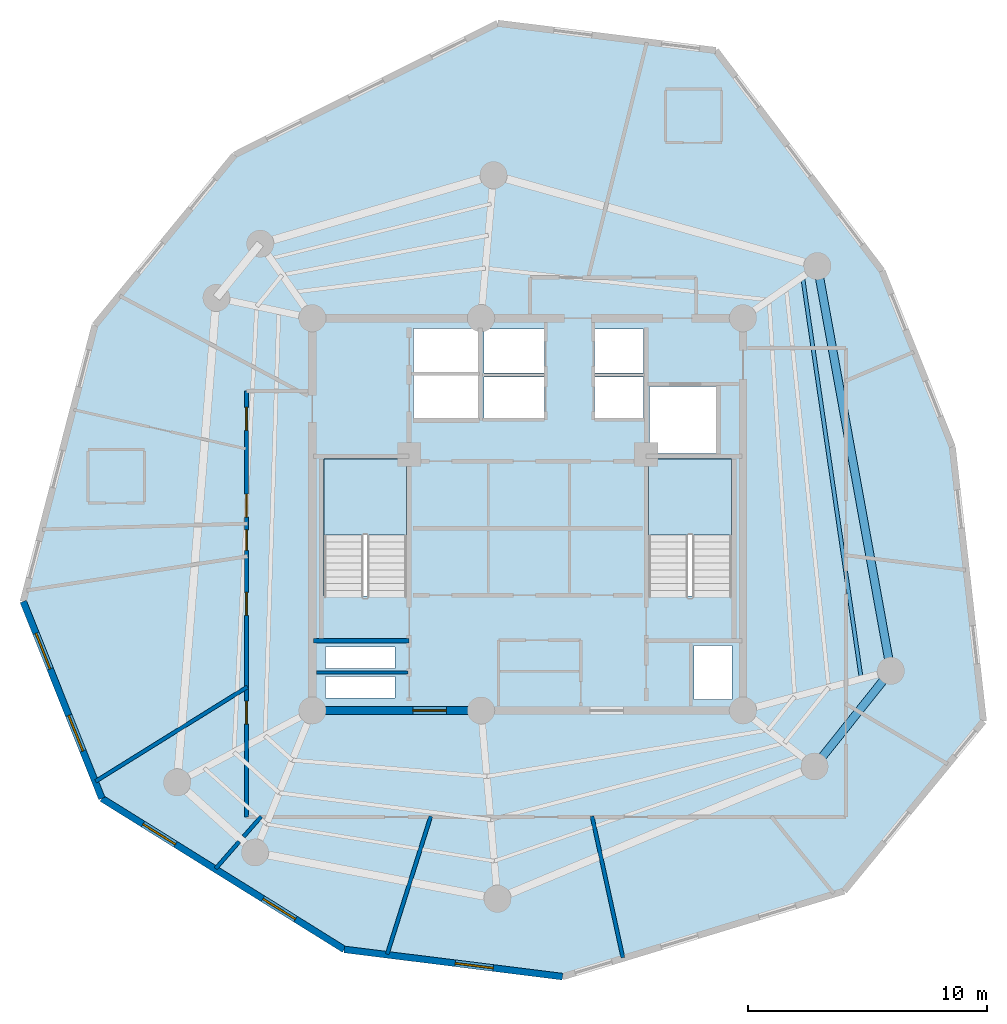
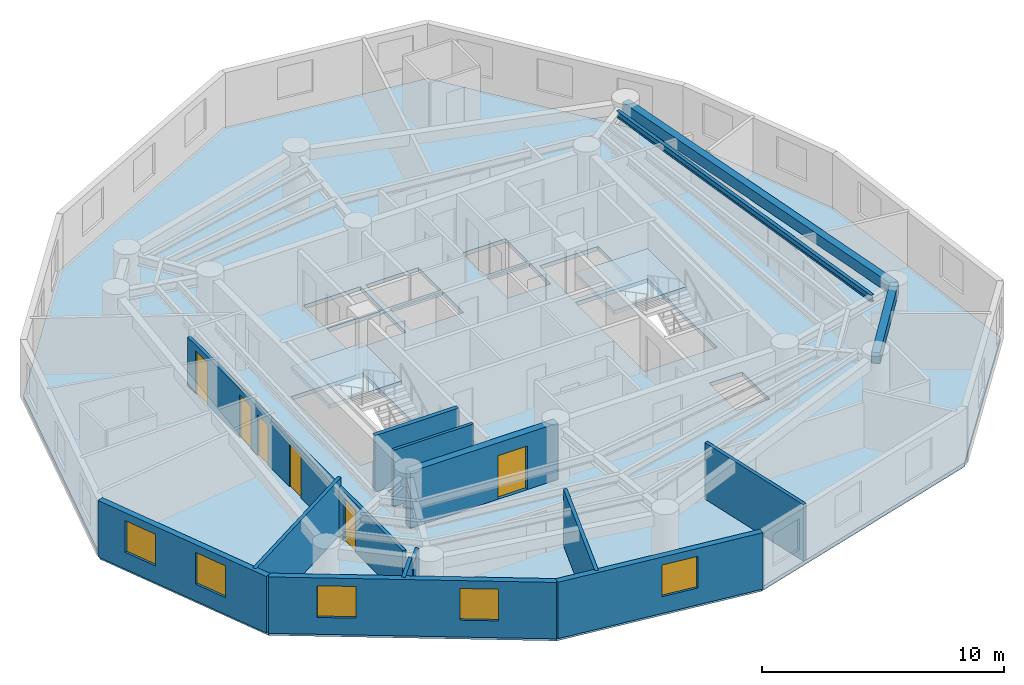
# One storey, part 2 of 7: 12 walls, 6 doors, 5 windows, 3 beams, 3 slabs, 11 openings, 2 elements without a shape of their own.
"""IFC4 building model written with IfcOpenShell, lengths in metres."""

from ifc_helpers import new_model, si_unit, direction, frame, frame_2d, origin, origin_with_axes, origin_2d, place, context, subcontext, project, spatial, polyline, rectangle, i_section, outline, extrude, source, transform, mapped, material, layer, layer_set, material_profile, profile_set, type_object, element, fill, aggregate, save


model = new_model("IFC4")

# Units and contexts
model_context = context("Model", 3, precision=1e-05, world=origin(), true_north=direction((0.0, 1.0)))
body_context = subcontext(model_context, "Body", "Model", "MODEL_VIEW")
ifc_project = project(units=[si_unit("LENGTHUNIT", "METRE"), si_unit("AREAUNIT", "SQUARE_METRE"), si_unit("VOLUMEUNIT", "CUBIC_METRE"), si_unit("PLANEANGLEUNIT", "RADIAN"), si_unit("MASSUNIT", "GRAM", prefix="KILO")], contexts=[model_context])

# Site, building, storey
site_placement = place(None, origin())
site = spatial("IfcSite", under=ifc_project, at=site_placement, CompositionType="ELEMENT")
building_placement = place(site_placement, origin())
building = spatial("IfcBuilding", under=site, at=building_placement, Name="Karkom Vertical University and Central Library", CompositionType="ELEMENT")
storey_placement = place(building_placement, frame((0.0, 0.0, 241.300048828125)))
storey = spatial("IfcBuildingStorey", under=building, at=storey_placement, Name="L71", CompositionType="ELEMENT", Elevation=241.300048828125)

# Beams
ifc_material_1 = material(Name="Precast concrete C45/55", Category="concrete")
ifc_material_profile_1 = material_profile(ifc_material_1, rectangle(XDim=0.35009765625, YDim=0.550048828125, at=origin_2d()), Name="SPB-350x550")
ifc_profile_set_1 = profile_set([ifc_material_profile_1], Name="Precast concrete C45/55")
beam_type_1 = type_object("IfcBeamType", Name="STR-BM-SP-2", PredefinedType="SPANDREL", material=ifc_profile_set_1)
shared_shape_1 = source(origin_with_axes(), body_context, "Body", "SweptSolid", [
    extrude(rectangle(XDim=0.35009765625, YDim=0.550048828125, at=origin_2d()), origin(), (0.0, 0.0, 1.0), 17.19970703125),
])
beam_1_placement = place(storey_placement, frame((43.681884765625, 19.9560546875, 2.574951171875), z_axis=(-0.178423249727, 0.983953832228, 0.0), x_axis=(-0.983953832228, -0.178423249727, 0.0)))
element("IfcBeam", 1, at=beam_1_placement, inside=storey, type_object=beam_type_1, Name="Level 71 Perimeter Spandrel Beam 01", PredefinedType="SPANDREL", context=body_context, shape_type="MappedRepresentation", body=[
    mapped(shared_shape_1, transform((0.0, 0.0, 0.0), scale=1.0)),
])
shared_shape_2 = source(origin_with_axes(), body_context, "Body", "SweptSolid", [
    extrude(rectangle(XDim=0.35009765625, YDim=0.550048828125, at=origin_2d()), origin(), (0.0, 0.0, 1.0), 5.112060546875),
])
beam_2_placement = place(storey_placement, frame((40.493896484375, 15.9599609375, 2.574951171875), z_axis=(0.623634459503, 0.78171609995, 0.0), x_axis=(-0.78171609995, 0.623634459503, 0.0)))
element("IfcBeam", 2, at=beam_2_placement, inside=storey, type_object=beam_type_1, Name="Level 71 Perimeter Spandrel Beam 09", PredefinedType="SPANDREL", context=body_context, shape_type="MappedRepresentation", body=[
    mapped(shared_shape_2, transform((0.0, 0.0, 0.0), scale=1.0)),
])
ifc_material_2 = material(Name="Steel S355", Category="steel")
ifc_material_profile_2 = material_profile(ifc_material_2, i_section(OverallWidth=0.159912109375, OverallDepth=0.330078125, WebThickness=0.007568359375, FlangeThickness=0.011474609375, FilletRadius=0.01806640625, at=origin_2d()), Name="IPE 330")
ifc_profile_set_2 = profile_set([ifc_material_profile_2], Name="Steel S355")
beam_type_2 = type_object("IfcBeamType", Name="STR-BM-SB-IPE330", PredefinedType="BEAM", material=ifc_profile_set_2)
shared_shape_3 = source(origin_with_axes(), body_context, "Body", "SweptSolid", [
    extrude(i_section(OverallWidth=0.159912109375, OverallDepth=0.330078125, WebThickness=0.007568359375, FlangeThickness=0.011474609375, FilletRadius=0.01806640625, at=origin_2d()), origin(), (0.0, 0.0, 1.0), 16.99755859375),
])
beam_3_placement = place(storey_placement, frame((42.445556640625, 19.624755859375, 2.68505859375), z_axis=(-0.144436985275, 0.98951400055, 0.0), x_axis=(-0.98951400055, -0.144436985275, 0.0)))
element("IfcBeam", 3, at=beam_3_placement, inside=storey, type_object=beam_type_2, Name="Level 71 Secondary Composite Floor Beam 3.01", PredefinedType="BEAM", context=body_context, shape_type="MappedRepresentation", body=[
    mapped(shared_shape_3, transform((0.0, 0.0, 0.0), scale=1.0)),
])

# Stair, slab
ifc_material_3 = material(Name="Concrete C45/55", Category="concrete")
stair_type = type_object("IfcStairType", Name="INT-STR-ST-MAIN", PredefinedType="HALF_TURN_STAIR", material=ifc_material_3)
stair_1_placement = place(storey_placement, origin())
stair_1 = element("IfcStair", 4, at=stair_1_placement, inside=storey, type_object=stair_type, Name="Level 71 Tower Protected Exit Stair ST-1", PredefinedType="HALF_TURN_STAIR")
ifc_layer_1 = layer(ifc_material_3, 0.199951171875)
ifc_layer_set_1 = layer_set([ifc_layer_1], Name="Concrete C45/55")
slab_type_1 = type_object("IfcSlabType", Name="INT-SLB-LANDING", PredefinedType="LANDING", material=ifc_layer_set_1)
slab_1_placement = place(storey_placement, frame((0.0, 0.0, 1.324951171875)))
slab_1 = element("IfcSlab", 5, at=slab_1_placement, type_object=slab_type_1, Name="ST-1 landing 1", PredefinedType="LANDING", context=body_context, shape_type="SweptSolid", body=[
    extrude(outline(polyline([(23.43994140625, 25.6298828125), (23.43994140625, 28.820068359375), (19.97998046875, 28.820068359375), (19.97998046875, 25.6298828125), (23.43994140625, 25.6298828125)])), origin(), (0.0, 0.0, 1.0), 0.199951171875),
])
aggregate(stair_1, [slab_1])

stair_2_placement = place(storey_placement, origin())
stair_2 = element("IfcStair", 6, at=stair_2_placement, inside=storey, type_object=stair_type, Name="Level 71 Tower Protected Exit Stair ST-2", PredefinedType="HALF_TURN_STAIR")
slab_2_placement = place(storey_placement, frame((0.0, 0.0, 1.324951171875)))
slab_2 = element("IfcSlab", 7, at=slab_2_placement, type_object=slab_type_1, Name="ST-2 landing 1", PredefinedType="LANDING", context=body_context, shape_type="SweptSolid", body=[
    extrude(outline(polyline([(37.02001953125, 25.6298828125), (37.02001953125, 28.820068359375), (33.56005859375, 28.820068359375), (33.56005859375, 25.6298828125), (37.02001953125, 25.6298828125)])), origin(), (0.0, 0.0, 1.0), 0.199951171875),
])
aggregate(stair_2, [slab_2])

# Slab
ifc_material_4 = material(Name="Concrete C40/50", Category="concrete")
ifc_layer_2 = layer(ifc_material_4, 0.199951171875)
ifc_layer_set_2 = layer_set([ifc_layer_2], Name="Concrete C40/50")
slab_type_2 = type_object("IfcSlabType", Name="STR-SLB-FLR-200", PredefinedType="FLOOR", material=ifc_layer_set_2)
slab_3_placement = place(storey_placement, frame((0.0, 0.0, -0.199951171875)))
element("IfcSlab", 8, at=slab_3_placement, inside=storey, type_object=slab_type_2, Name="Level 71 Tower Structural Floor Slab", PredefinedType="FLOOR", context=body_context, shape_type="SweptSolid", body=[
    extrude(outline(polyline([(7.414306640625, 22.854736328125), (10.69970703125, 14.62353515625), (20.83056640625, 8.31201171875), (29.958740234375, 7.174072265625), (41.727294921875, 10.755615234375), (47.55029296875, 17.851318359375), (46.24658203125, 29.323974609375), (43.313232421875, 36.6728515625), (36.3583984375, 45.889892578125), (27.249755859375, 47.025390625), (16.249755859375, 41.518310546875), (10.414306640625, 34.407470703125), (7.414306640625, 22.854736328125)]), holes=[polyline([(19.97998046875, 23.0849609375), (23.43994140625, 23.0849609375), (23.43994140625, 28.820068359375), (19.97998046875, 28.820068359375), (19.97998046875, 23.0849609375)]), polyline([(33.56005859375, 23.0849609375), (37.02001953125, 23.0849609375), (37.02001953125, 28.820068359375), (33.56005859375, 28.820068359375), (33.56005859375, 23.0849609375)]), polyline([(26.679931640625, 30.5), (29.199951171875, 30.5), (29.199951171875, 32.25), (26.679931640625, 32.25), (26.679931640625, 30.5)]), polyline([(26.679931640625, 32.39990234375), (29.199951171875, 32.39990234375), (29.199951171875, 34.25), (26.679931640625, 34.25), (26.679931640625, 32.39990234375)]), polyline([(31.300048828125, 30.5), (33.35009765625, 30.5), (33.35009765625, 32.25), (31.300048828125, 32.25), (31.300048828125, 30.5)]), polyline([(31.300048828125, 32.39990234375), (33.35009765625, 32.39990234375), (33.35009765625, 34.25), (31.300048828125, 34.25), (31.300048828125, 32.39990234375)]), polyline([(23.719970703125, 30.47998046875), (26.429931640625, 30.47998046875), (26.429931640625, 32.320068359375), (23.719970703125, 32.320068359375), (23.719970703125, 30.47998046875)]), polyline([(23.719970703125, 32.419921875), (26.429931640625, 32.419921875), (26.429931640625, 34.260009765625), (23.719970703125, 34.260009765625), (23.719970703125, 32.419921875)]), polyline([(33.60009765625, 29.050048828125), (36.39990234375, 29.050048828125), (36.39990234375, 31.85009765625), (33.60009765625, 31.85009765625), (33.60009765625, 29.050048828125)]), polyline([(20.050048828125, 18.820068359375), (22.949951171875, 18.820068359375), (22.949951171875, 19.719970703125), (20.050048828125, 19.719970703125), (20.050048828125, 18.820068359375)]), polyline([(20.050048828125, 20.06005859375), (22.949951171875, 20.06005859375), (22.949951171875, 20.9599609375), (20.050048828125, 20.9599609375), (20.050048828125, 20.06005859375)]), polyline([(35.4599609375, 18.760009765625), (37.0400390625, 18.760009765625), (37.0400390625, 21.010009765625), (35.4599609375, 21.010009765625), (35.4599609375, 18.760009765625)])]), origin(), (0.0, 0.0, 1.0), 0.199951171875),
])

# Wall, openings, windows
ifc_material_5 = material(Name="Brick-faced precast concrete C45/55", Category="masonry")
ifc_layer_3 = layer(ifc_material_5, 0.280029296875)
ifc_layer_set_3 = layer_set([ifc_layer_3], Name="Brick-faced precast concrete C45/55")
wall_type_1 = type_object("IfcWallType", Name="ENV-WL-BRK-280", PredefinedType="SOLIDWALL", material=ifc_layer_set_3)
wall_1_placement = place(storey_placement, frame((7.414306640625, 22.854736328125, 0.0), z_axis=(0.0, 0.0, 1.0), x_axis=(0.370701895631, -0.928751906903, 0.0)))
wall_1 = element("IfcWall", 9, at=wall_1_placement, inside=storey, type_object=wall_type_1, Name="Level 71 Brick-Faced Precast Facade Wall 01", PredefinedType="SOLIDWALL", context=body_context, shape_type="SweptSolid", body=[
    extrude(rectangle(XDim=8.862548828125, YDim=0.280029296875, at=frame_2d((4.43115234375, 0.0))), origin(), (0.0, 0.0, 1.0), 2.849853515625),
])
opening_1_placement = place(wall_1_placement, frame((1.4287109375, 0.0, 0.85009765625)))
opening_1 = element("IfcOpeningElement", 10, at=opening_1_placement, cuts=wall_1, Name="Opening WN-10", PredefinedType="OPENING", context=body_context, shape_type="SweptSolid", body=[
    extrude(rectangle(XDim=1.60009765625, YDim=1.60009765625, at=frame_2d((0.800048828125, 0.800048828125))), frame((0.0, 0.14990234375, 0.0), z_axis=(0.0, -1.0, 0.0), x_axis=(1.0, 0.0, 0.0)), (0.0, 0.0, 1.0), 0.300048828125),
])
opening_2_placement = place(wall_1_placement, frame((5.125732421875, 0.0, 0.85009765625)))
opening_2 = element("IfcOpeningElement", 11, at=opening_2_placement, cuts=wall_1, Name="Opening WN-10", PredefinedType="OPENING", context=body_context, shape_type="SweptSolid", body=[
    extrude(rectangle(XDim=1.60009765625, YDim=1.60009765625, at=frame_2d((0.800048828125, 0.800048828125))), frame((0.0, 0.14990234375, 0.0), z_axis=(0.0, -1.0, 0.0), x_axis=(1.0, 0.0, 0.0)), (0.0, 0.0, 1.0), 0.300048828125),
])
ifc_material_6 = material(Name="Aluminium thermal-break frame with solar-control IGU", Category="aluminium")
window_type = type_object("IfcWindowType", Name="ENV-WIN-WN-10", PartitioningType="SINGLE_PANEL", PredefinedType="WINDOW", material=ifc_material_6)
shared_shape_4 = source(origin_with_axes(), body_context, "Body", "SweptSolid", [
    extrude(rectangle(XDim=1.60009765625, YDim=1.60009765625, at=frame_2d((0.800048828125, 0.800048828125))), frame((0.0, 0.030029296875, 0.0), z_axis=(0.0, -1.0, 0.0), x_axis=(1.0, 0.0, 0.0)), (0.0, 0.0, 1.0), 0.06005859375),
])
window_1_placement = place(opening_1_placement, origin())
window_1 = element("IfcWindow", 12, at=window_1_placement, inside=storey, type_object=window_type, Name="Level 71 Punched Window 1.1", OverallHeight=1.60009765625, OverallWidth=1.60009765625, PartitioningType="SINGLE_PANEL", PredefinedType="WINDOW", context=body_context, shape_type="MappedRepresentation", body=[
    mapped(shared_shape_4, transform((0.0, 0.0, 0.0), scale=1.0)),
])
fill(opening_1, window_1)
window_2_placement = place(opening_2_placement, origin())
window_2 = element("IfcWindow", 13, at=window_2_placement, inside=storey, type_object=window_type, Name="Level 71 Punched Window 1.2", OverallHeight=1.60009765625, OverallWidth=1.60009765625, PartitioningType="SINGLE_PANEL", PredefinedType="WINDOW", context=body_context, shape_type="MappedRepresentation", body=[
    mapped(shared_shape_4, transform((0.0, 0.0, 0.0), scale=1.0)),
])
fill(opening_2, window_2)

wall_2_placement = place(storey_placement, frame((10.69970703125, 14.62353515625, 0.0), z_axis=(0.0, 0.0, 1.0), x_axis=(0.848760429513, -0.528777583954, 0.0)))
wall_2 = element("IfcWall", 14, at=wall_2_placement, inside=storey, type_object=wall_type_1, Name="Level 71 Brick-Faced Precast Facade Wall 02", PredefinedType="SOLIDWALL", context=body_context, shape_type="SweptSolid", body=[
    extrude(rectangle(XDim=11.93603515625, YDim=0.280029296875, at=frame_2d((5.968017578125, 0.0))), origin(), (0.0, 0.0, 1.0), 2.849853515625),
])
opening_3_placement = place(wall_2_placement, frame((2.0263671875, 0.0, 0.85009765625)))
opening_3 = element("IfcOpeningElement", 15, at=opening_3_placement, cuts=wall_2, Name="Opening WN-10", PredefinedType="OPENING", context=body_context, shape_type="SweptSolid", body=[
    extrude(rectangle(XDim=1.60009765625, YDim=1.60009765625, at=frame_2d((0.800048828125, 0.800048828125))), frame((0.0, 0.14990234375, 0.0), z_axis=(0.0, -1.0, 0.0), x_axis=(1.0, 0.0, 0.0)), (0.0, 0.0, 1.0), 0.300048828125),
])
opening_4_placement = place(wall_2_placement, frame((7.934326171875, 0.0, 0.85009765625)))
opening_4 = element("IfcOpeningElement", 16, at=opening_4_placement, cuts=wall_2, Name="Opening WN-10", PredefinedType="OPENING", context=body_context, shape_type="SweptSolid", body=[
    extrude(rectangle(XDim=1.60009765625, YDim=1.60009765625, at=frame_2d((0.800048828125, 0.800048828125))), frame((0.0, 0.14990234375, 0.0), z_axis=(0.0, -1.0, 0.0), x_axis=(1.0, 0.0, 0.0)), (0.0, 0.0, 1.0), 0.300048828125),
])
window_3_placement = place(opening_3_placement, origin())
window_3 = element("IfcWindow", 17, at=window_3_placement, inside=storey, type_object=window_type, Name="Level 71 Punched Window 2.1", OverallHeight=1.60009765625, OverallWidth=1.60009765625, PartitioningType="SINGLE_PANEL", PredefinedType="WINDOW", context=body_context, shape_type="MappedRepresentation", body=[
    mapped(shared_shape_4, transform((0.0, 0.0, 0.0), scale=1.0)),
])
fill(opening_3, window_3)
window_4_placement = place(opening_4_placement, origin())
window_4 = element("IfcWindow", 18, at=window_4_placement, inside=storey, type_object=window_type, Name="Level 71 Punched Window 2.2", OverallHeight=1.60009765625, OverallWidth=1.60009765625, PartitioningType="SINGLE_PANEL", PredefinedType="WINDOW", context=body_context, shape_type="MappedRepresentation", body=[
    mapped(shared_shape_4, transform((0.0, 0.0, 0.0), scale=1.0)),
])
fill(opening_4, window_4)

# Wall, opening, window
wall_3_placement = place(storey_placement, frame((20.83056640625, 8.31201171875, 0.0), z_axis=(0.0, 0.0, 1.0), x_axis=(0.992319061568, -0.12370481013, 0.0)))
wall_3 = element("IfcWall", 19, at=wall_3_placement, inside=storey, type_object=wall_type_1, Name="Level 71 Brick-Faced Precast Facade Wall 03", PredefinedType="SOLIDWALL", context=body_context, shape_type="SweptSolid", body=[
    extrude(rectangle(XDim=9.19873046875, YDim=0.280029296875, at=frame_2d((4.599365234375, 0.0))), origin(), (0.0, 0.0, 1.0), 2.849853515625),
])
opening_5_placement = place(wall_3_placement, frame((4.6767578125, 0.0, 0.85009765625)))
opening_5 = element("IfcOpeningElement", 20, at=opening_5_placement, cuts=wall_3, Name="Opening WN-10", PredefinedType="OPENING", context=body_context, shape_type="SweptSolid", body=[
    extrude(rectangle(XDim=1.60009765625, YDim=1.60009765625, at=frame_2d((0.800048828125, 0.800048828125))), frame((0.0, 0.14990234375, 0.0), z_axis=(0.0, -1.0, 0.0), x_axis=(1.0, 0.0, 0.0)), (0.0, 0.0, 1.0), 0.300048828125),
])
window_5_placement = place(opening_5_placement, origin())
window_5 = element("IfcWindow", 21, at=window_5_placement, inside=storey, type_object=window_type, Name="Level 71 Punched Window 3.1", OverallHeight=1.60009765625, OverallWidth=1.60009765625, PartitioningType="SINGLE_PANEL", PredefinedType="WINDOW", context=body_context, shape_type="MappedRepresentation", body=[
    mapped(shared_shape_4, transform((0.0, 0.0, 0.0), scale=1.0)),
])
fill(opening_5, window_5)

# Wall, openings, doors
ifc_material_7 = material(Name="Insulated metal-stud drywall 160mm", Category="gypsum")
ifc_layer_4 = layer(ifc_material_7, 0.159912109375)
ifc_layer_set_4 = layer_set([ifc_layer_4], Name="Insulated metal-stud drywall 160mm")
wall_type_2 = type_object("IfcWallType", Name="INT-WL-COR-160", PredefinedType="PARTITIONING", material=ifc_layer_set_4)
wall_4_placement = place(storey_placement, frame((16.75, 13.85009765625, 0.0), z_axis=(0.0, 0.0, 1.0), x_axis=(0.0, 1.0, 0.0)))
wall_4 = element("IfcWall", 22, at=wall_4_placement, inside=storey, type_object=wall_type_2, Name="Level 71 Interior Partition Wall L71-CORW-CW-002", PredefinedType="PARTITIONING", context=body_context, shape_type="SweptSolid", body=[
    extrude(rectangle(XDim=17.7998046875, YDim=0.159912109375, at=frame_2d((8.89990234375, 0.0))), origin(), (0.0, 0.0, 1.0), 2.449951171875),
])
opening_6_placement = place(wall_4_placement, frame((16.1650390625, 0.0, 0.0)))
opening_6 = element("IfcOpeningElement", 23, at=opening_6_placement, cuts=wall_4, Name="Opening FD-RM2", PredefinedType="OPENING", context=body_context, shape_type="SweptSolid", body=[
    extrude(rectangle(XDim=0.9599609375, YDim=2.14990234375, at=frame_2d((0.47998046875, 1.074951171875))), frame((0.0, 0.08984375, 0.0), z_axis=(0.0, -1.0, 0.0), x_axis=(1.0, 0.0, 0.0)), (0.0, 0.0, 1.0), 0.179931640625),
])
opening_7_placement = place(wall_4_placement, frame((12.534912109375, 0.0, 0.0)))
opening_7 = element("IfcOpeningElement", 24, at=opening_7_placement, cuts=wall_4, Name="Opening FD-RM2", PredefinedType="OPENING", context=body_context, shape_type="SweptSolid", body=[
    extrude(rectangle(XDim=0.9599609375, YDim=2.14990234375, at=frame_2d((0.47998046875, 1.074951171875))), frame((0.0, 0.08984375, 0.0), z_axis=(0.0, -1.0, 0.0), x_axis=(1.0, 0.0, 0.0)), (0.0, 0.0, 1.0), 0.179931640625),
])
opening_8_placement = place(wall_4_placement, frame((8.425048828125, 0.0, 0.0)))
opening_8 = element("IfcOpeningElement", 25, at=opening_8_placement, cuts=wall_4, Name="Opening FD-RM2", PredefinedType="OPENING", context=body_context, shape_type="SweptSolid", body=[
    extrude(rectangle(XDim=0.9599609375, YDim=2.14990234375, at=frame_2d((0.47998046875, 1.074951171875))), frame((0.0, 0.08984375, 0.0), z_axis=(0.0, -1.0, 0.0), x_axis=(1.0, 0.0, 0.0)), (0.0, 0.0, 1.0), 0.179931640625),
])
opening_9_placement = place(wall_4_placement, frame((3.885009765625, 0.0, 0.0)))
opening_9 = element("IfcOpeningElement", 26, at=opening_9_placement, cuts=wall_4, Name="Opening FD-RM2", PredefinedType="OPENING", context=body_context, shape_type="SweptSolid", body=[
    extrude(rectangle(XDim=0.9599609375, YDim=2.14990234375, at=frame_2d((0.47998046875, 1.074951171875))), frame((0.0, 0.08984375, 0.0), z_axis=(0.0, -1.0, 0.0), x_axis=(1.0, 0.0, 0.0)), (0.0, 0.0, 1.0), 0.179931640625),
])
opening_10_placement = place(wall_4_placement, frame((11.142578125, 0.0, 0.0)))
opening_10 = element("IfcOpeningElement", 27, at=opening_10_placement, cuts=wall_4, Name="Opening FD-BTH2", PredefinedType="OPENING", context=body_context, shape_type="SweptSolid", body=[
    extrude(rectangle(XDim=0.860107421875, YDim=2.0400390625, at=frame_2d((0.43017578125, 1.02001953125))), frame((0.0, 0.08984375, 0.0), z_axis=(0.0, -1.0, 0.0), x_axis=(1.0, 0.0, 0.0)), (0.0, 0.0, 1.0), 0.179931640625),
])
ifc_material_8 = material(Name="Fire-rated oak veneer door", Category="wood")
door_type_1 = type_object("IfcDoorType", Name="INT-DR-FRM2", OperationType="NOTDEFINED", PredefinedType="DOOR", material=ifc_material_8)
shared_shape_5 = source(origin_with_axes(), body_context, "Body", "SweptSolid", [
    extrude(rectangle(XDim=0.9599609375, YDim=2.14990234375, at=frame_2d((0.47998046875, 1.074951171875))), frame((0.0, 0.02490234375, 0.0), z_axis=(0.0, -1.0, 0.0), x_axis=(1.0, 0.0, 0.0)), (0.0, 0.0, 1.0), 0.050048828125),
])
door_1_placement = place(opening_6_placement, origin())
door_1 = element("IfcDoor", 28, at=door_1_placement, inside=storey, type_object=door_type_1, Name="Level 71 Room Entry Door 422", OperationType="SINGLE_SWING_LEFT", OverallHeight=2.14990234375, OverallWidth=0.9599609375, PredefinedType="DOOR", context=body_context, shape_type="MappedRepresentation", body=[
    mapped(shared_shape_5, transform((0.0, 0.0, 0.0), scale=1.0)),
])
fill(opening_6, door_1)
door_2_placement = place(opening_7_placement, origin())
door_2 = element("IfcDoor", 29, at=door_2_placement, inside=storey, type_object=door_type_1, Name="Level 71 Room Entry Door 300", OperationType="SINGLE_SWING_RIGHT", OverallHeight=2.14990234375, OverallWidth=0.9599609375, PredefinedType="DOOR", context=body_context, shape_type="MappedRepresentation", body=[
    mapped(shared_shape_5, transform((0.0, 0.0, 0.0), scale=1.0)),
])
fill(opening_7, door_2)
door_3_placement = place(opening_8_placement, origin())
door_3 = element("IfcDoor", 30, at=door_3_placement, inside=storey, type_object=door_type_1, Name="Level 71 Room Entry Door 301", OperationType="SINGLE_SWING_LEFT", OverallHeight=2.14990234375, OverallWidth=0.9599609375, PredefinedType="DOOR", context=body_context, shape_type="MappedRepresentation", body=[
    mapped(shared_shape_5, transform((0.0, 0.0, 0.0), scale=1.0)),
])
fill(opening_8, door_3)
door_4_placement = place(opening_9_placement, origin())
door_4 = element("IfcDoor", 31, at=door_4_placement, inside=storey, type_object=door_type_1, Name="Level 71 Room Entry Door 302", OperationType="SINGLE_SWING_RIGHT", OverallHeight=2.14990234375, OverallWidth=0.9599609375, PredefinedType="DOOR", context=body_context, shape_type="MappedRepresentation", body=[
    mapped(shared_shape_5, transform((0.0, 0.0, 0.0), scale=1.0)),
])
fill(opening_9, door_4)
ifc_material_9 = material(Name="Fire-rated moisture-resistant oak door", Category="wood")
door_type_2 = type_object("IfcDoorType", Name="INT-DR-FBTH2", OperationType="NOTDEFINED", PredefinedType="DOOR", material=ifc_material_9)
shared_shape_6 = source(origin_with_axes(), body_context, "Body", "SweptSolid", [
    extrude(rectangle(XDim=0.860107421875, YDim=2.0400390625, at=frame_2d((0.43017578125, 1.02001953125))), frame((0.0, 0.02490234375, 0.0), z_axis=(0.0, -1.0, 0.0), x_axis=(1.0, 0.0, 0.0)), (0.0, 0.0, 1.0), 0.050048828125),
])
door_5_placement = place(opening_10_placement, origin())
door_5 = element("IfcDoor", 32, at=door_5_placement, inside=storey, type_object=door_type_2, Name="Level 71 Residents Seminar Classroom Entry Door", OperationType="SINGLE_SWING_RIGHT", OverallHeight=2.0400390625, OverallWidth=0.860107421875, PredefinedType="DOOR", context=body_context, shape_type="MappedRepresentation", body=[
    mapped(shared_shape_6, transform((0.0, 0.0, 0.0), scale=1.0)),
])
fill(opening_10, door_5)

# Walls
wall_5_placement = place(storey_placement, frame((16.7880859375, 19.28759765625, 0.0), z_axis=(0.0, 0.0, 1.0), x_axis=(-0.849207332104, -0.528059567759, 0.0)))
element("IfcWall", 33, at=wall_5_placement, inside=storey, type_object=wall_type_2, Name="Level 71 Interior Partition Wall L71-PW-003", PredefinedType="PARTITIONING", context=body_context, shape_type="SweptSolid", body=[
    extrude(rectangle(XDim=7.4736328125, YDim=0.159912109375, at=frame_2d((3.73681640625, 0.0))), origin(), (0.0, 0.0, 1.0), 2.849853515625),
])
wall_6_placement = place(storey_placement, frame((31.19140625, 13.87939453125, 0.0), z_axis=(0.0, 0.0, 1.0), x_axis=(0.213087940794, -0.977033023745, 0.0)))
element("IfcWall", 34, at=wall_6_placement, inside=storey, type_object=wall_type_2, Name="Level 71 Interior Partition Wall L71-PW-008", PredefinedType="PARTITIONING", context=body_context, shape_type="SweptSolid", body=[
    extrude(rectangle(XDim=6.050537109375, YDim=0.159912109375, at=frame_2d((3.025390625, 0.0))), origin(), (0.0, 0.0, 1.0), 2.849853515625),
])
wall_7_placement = place(storey_placement, frame((24.449462890625, 13.878662109375, 0.0), z_axis=(0.0, 0.0, 1.0), x_axis=(-0.301262790285, -0.95354115338, 0.0)))
element("IfcWall", 35, at=wall_7_placement, inside=storey, type_object=wall_type_2, Name="Level 71 Interior Partition Wall L71-PW-007", PredefinedType="PARTITIONING", context=body_context, shape_type="SweptSolid", body=[
    extrude(rectangle(XDim=6.04541015625, YDim=0.159912109375, at=frame_2d((3.022705078125, 0.0))), origin(), (0.0, 0.0, 1.0), 2.849853515625),
])
wall_8_placement = place(storey_placement, frame((16.443115234375, 12.81884765625, 0.0), z_axis=(0.0, 0.0, 1.0), x_axis=(-0.658815881428, -0.752304216642, 0.0)))
element("IfcWall", 36, at=wall_8_placement, inside=storey, type_object=wall_type_2, Name="Level 71 Interior Partition Wall L71-PW-006", PredefinedType="PARTITIONING", context=body_context, shape_type="SweptSolid", body=[
    extrude(rectangle(XDim=1.4990234375, YDim=0.159912109375, at=frame_2d((0.74951171875, 0.0))), origin(), (0.0, 0.0, 1.0), 2.849853515625),
])
wall_9_placement = place(storey_placement, frame((17.365478515625, 13.87255859375, 0.0), z_axis=(0.0, 0.0, 1.0), x_axis=(-0.658688907656, -0.75241539254, 0.0)))
element("IfcWall", 37, at=wall_9_placement, inside=storey, type_object=wall_type_2, Name="Level 71 Interior Partition Wall L71-PW-005", PredefinedType="PARTITIONING", context=body_context, shape_type="SweptSolid", body=[
    extrude(rectangle(XDim=1.125244140625, YDim=0.159912109375, at=frame_2d((0.5625, 0.0))), origin(), (0.0, 0.0, 1.0), 2.349853515625),
])
ifc_material_10 = material(Name="Metal-stud gypsum partition 140mm", Category="gypsum")
ifc_layer_5 = layer(ifc_material_10, 0.139892578125)
ifc_layer_set_5 = layer_set([ifc_layer_5], Name="Metal-stud gypsum partition 140mm")
wall_type_3 = type_object("IfcWallType", Name="INT-WL-SUB-140H", PredefinedType="PARTITIONING", material=ifc_layer_set_5)
wall_10_placement = place(storey_placement, frame((19.681884765625, 19.889892578125, 0.0), z_axis=(0.0, 0.0, 1.0), x_axis=(1.0, 0.0, 0.0)))
element("IfcWall", 38, at=wall_10_placement, inside=storey, type_object=wall_type_3, Name="Level 71 Interior Partition Wall L71-CW-RIS-W", PredefinedType="PARTITIONING", context=body_context, shape_type="SweptSolid", body=[
    extrude(rectangle(XDim=3.8154296875, YDim=0.139892578125, at=frame_2d((1.90771484375, 0.0))), origin(), (0.0, 0.0, 1.0), 2.849853515625),
])

# Wall, opening, door
ifc_layer_6 = layer(ifc_material_3, 0.35009765625)
ifc_layer_set_6 = layer_set([ifc_layer_6], Name="Concrete C45/55")
wall_type_4 = type_object("IfcWallType", Name="STR-WL-CW-350", PredefinedType="SHEAR", material=ifc_layer_set_6)
wall_11_placement = place(storey_placement, frame((19.5, 18.300048828125, 0.0), z_axis=(0.0, 0.0, 1.0), x_axis=(1.0, 0.0, 0.0)))
wall_11 = element("IfcWall", 39, at=wall_11_placement, inside=storey, type_object=wall_type_4, Name="Level 71 Central Core Shear Wall SW1", PredefinedType="SHEAR", context=body_context, shape_type="SweptSolid", body=[
    extrude(rectangle(XDim=7.050048828125, YDim=0.35009765625, at=frame_2d((3.52490234375, 0.0))), origin(), (0.0, 0.0, 1.0), 2.849853515625),
])
opening_11_placement = place(wall_11_placement, frame((4.199951171875, 0.0, 0.0)))
opening_11 = element("IfcOpeningElement", 40, at=opening_11_placement, cuts=wall_11, Name="Opening FD-CLB", PredefinedType="OPENING", context=body_context, shape_type="SweptSolid", body=[
    extrude(rectangle(XDim=1.39990234375, YDim=2.199951171875, at=frame_2d((0.699951171875, 1.10009765625))), frame((0.0, 0.18505859375, 0.0), z_axis=(0.0, -1.0, 0.0), x_axis=(1.0, 0.0, 0.0)), (0.0, 0.0, 1.0), 0.3701171875),
])
ifc_material_11 = material(Name="Painted steel fire door", Category="steel")
door_type_3 = type_object("IfcDoorType", Name="INT-DR-CLB", OperationType="DOUBLE_DOOR_SINGLE_SWING", PredefinedType="DOOR", material=ifc_material_11)
shared_shape_7 = source(origin_with_axes(), body_context, "Body", "SweptSolid", [
    extrude(rectangle(XDim=1.39990234375, YDim=2.199951171875, at=frame_2d((0.699951171875, 1.10009765625))), frame((0.0, 0.02490234375, 0.0), z_axis=(0.0, -1.0, 0.0), x_axis=(1.0, 0.0, 0.0)), (0.0, 0.0, 1.0), 0.050048828125),
])
door_6_placement = place(opening_11_placement, origin())
door_6 = element("IfcDoor", 41, at=door_6_placement, inside=storey, type_object=door_type_3, Name="Level 71 South Core Lobby West Exit Door", OperationType="DOUBLE_DOOR_SINGLE_SWING", OverallHeight=2.199951171875, OverallWidth=1.39990234375, PredefinedType="DOOR", context=body_context, shape_type="MappedRepresentation", body=[
    mapped(shared_shape_7, transform((0.0, 0.0, 0.0), scale=1.0)),
])
fill(opening_11, door_6)

# Wall
ifc_layer_7 = layer(ifc_material_3, 0.199951171875)
ifc_layer_set_7 = layer_set([ifc_layer_7], Name="Concrete C45/55")
wall_type_5 = type_object("IfcWallType", Name="STR-WL-ST-200", PredefinedType="SHEAR", material=ifc_layer_set_7)
wall_12_placement = place(storey_placement, frame((19.550048828125, 21.215087890625, 0.0), z_axis=(0.0, 0.0, 1.0), x_axis=(1.0, 0.0, 0.0)))
element("IfcWall", 42, at=wall_12_placement, inside=storey, type_object=wall_type_5, Name="Level 71 Core Shaft Wall L71-CW-ST1-S", PredefinedType="SHEAR", context=body_context, shape_type="SweptSolid", body=[
    extrude(rectangle(XDim=3.994873046875, YDim=0.199951171875, at=frame_2d((1.99755859375, 0.0))), origin(), (0.0, 0.0, 1.0), 2.849853515625),
])

save(model, "model.ifc")
